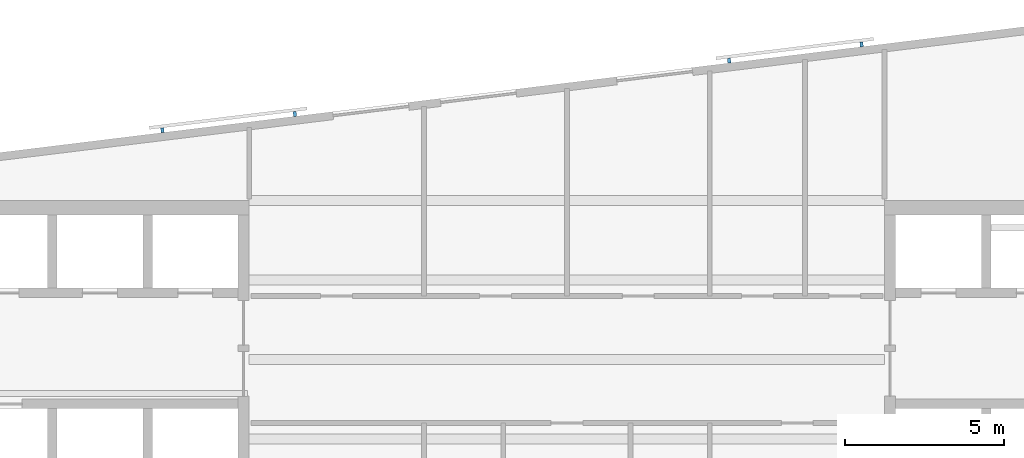
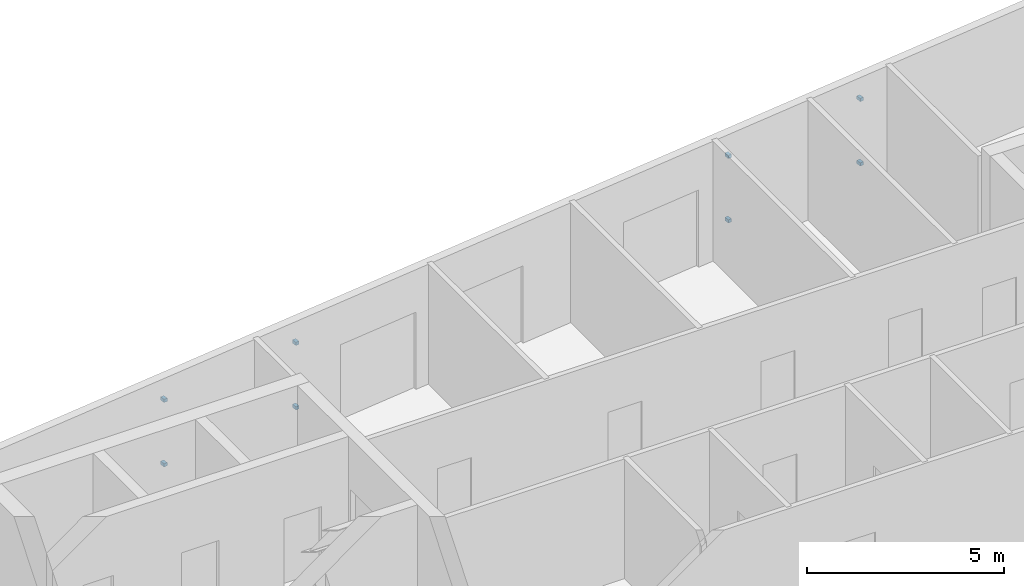
# One storey, part 8 of 11: 8 discrete accessories.
"""IFC4 building model written with IfcOpenShell, lengths in metres."""

from ifc_helpers import new_model, si_unit, direction, frame, origin, origin_2d, place, context, subcontext, project, spatial, rectangle, extrude, material, type_object, element, save


model = new_model("IFC4")

# Units and contexts
model_context = context("Model", 3, precision=1e-05, world=origin(), true_north=direction((0.0, 1.0)))
body_context = subcontext(model_context, "Body", "Model", "MODEL_VIEW")
ifc_project = project(units=[si_unit("LENGTHUNIT", "METRE"), si_unit("AREAUNIT", "SQUARE_METRE"), si_unit("VOLUMEUNIT", "CUBIC_METRE"), si_unit("PLANEANGLEUNIT", "RADIAN"), si_unit("MASSUNIT", "GRAM", prefix="KILO")], contexts=[model_context])

# Site, building, storey
site_placement = place(None, origin())
site = spatial("IfcSite", under=ifc_project, at=site_placement, CompositionType="ELEMENT")
building_placement = place(site_placement, origin())
building = spatial("IfcBuilding", under=site, at=building_placement, Name="Torana Hotel and Residences", CompositionType="ELEMENT")
storey_placement = place(building_placement, frame((0.0, 0.0, 326.60009765625)))
storey = spatial("IfcBuildingStorey", under=building, at=storey_placement, Name="L86", CompositionType="ELEMENT", Elevation=326.60009765625)

# Discrete accessories
ifc_material = material(Name="Steel S355", Category="steel")
discrete_accessory_type = type_object("IfcDiscreteAccessoryType", Name="SCREEN BRACKET 100", PredefinedType="BRACKET", material=ifc_material)
for number, where, z_axis, x_axis, name in (
    (1, (9.277587890625, 4.920654296875, 0.749755859375), (0.0, 0.0, 1.0), (-0.99254657704, -0.121865878765, 0.0), "Screen bracket L86"),
    (2, (9.277587890625, 4.920654296875, 2.749755859375), (0.0, 0.0, 1.0), (-0.99254657704, -0.121865878765, 0.0), "Screen bracket L86"),
    (3, (5.10888671875, 4.40869140625, 0.749755859375), (0.0, 0.0, 1.0), (-0.99254657704, -0.121865878765, 0.0), "Screen bracket L86"),
    (4, (5.10888671875, 4.40869140625, 2.749755859375), (0.0, 0.0, 1.0), (-0.99254657704, -0.121865878765, 0.0), "Screen bracket L86"),
    (5, (-8.563720703125, 2.72998046875, 0.749755859375), (0.0, 0.0, 1.0), (-0.99254657704, -0.121865878765, 0.0), "Screen bracket L86"),
    (6, (-8.563720703125, 2.72998046875, 2.749755859375), (0.0, 0.0, 1.0), (-0.99254657704, -0.121865878765, 0.0), "Screen bracket L86"),
    (7, (-12.732421875, 2.218017578125, 0.749755859375), (0.0, 0.0, 1.0), (-0.99254657704, -0.121865878765, 0.0), "Screen bracket L86"),
    (8, (-12.732421875, 2.218017578125, 2.749755859375), (0.0, 0.0, 1.0), (-0.99254657704, -0.121865878765, 0.0), "Screen bracket L86"),
):
    element("IfcDiscreteAccessory", number, at=place(storey_placement, frame(where, z_axis=z_axis, x_axis=x_axis)), inside=storey, type_object=discrete_accessory_type, Name=name, PredefinedType="BRACKET", context=body_context, shape_type="SweptSolid", body=[
        extrude(rectangle(XDim=0.10009765625, YDim=0.14990234375, at=origin_2d()), origin(), (0.0, 0.0, 1.0), 0.10009765625),
    ])

save(model, "model.ifc")
